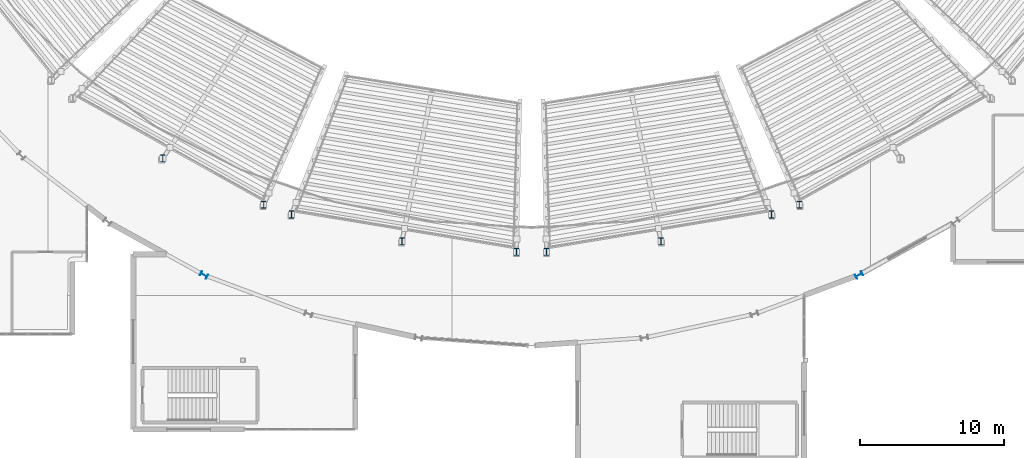
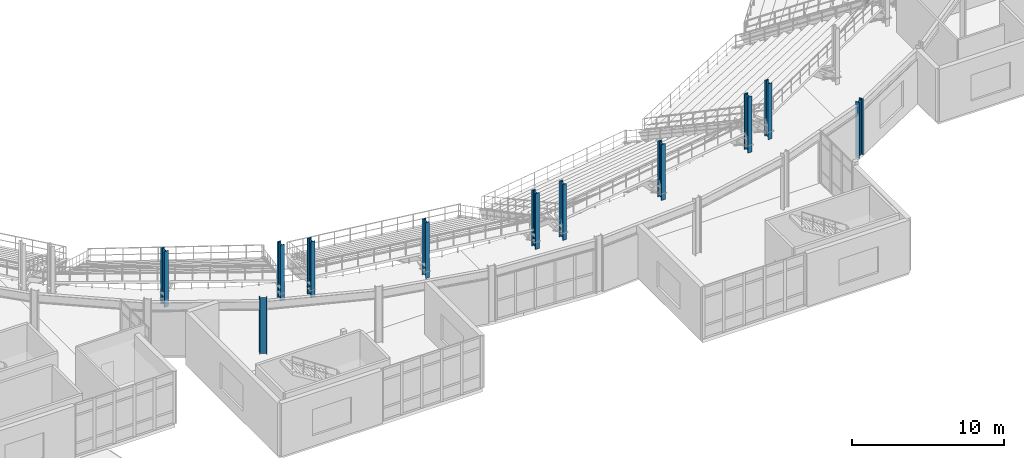
# One storey, part 6 of 81: 11 columns.
"""IFC4 building model written with IfcOpenShell, lengths in metres."""

from ifc_helpers import new_model, si_unit, direction, frame, origin, origin_2d, place, context, subcontext, project, spatial, i_section, extrude, material, material_profile, profile_set, type_object, element, save


model = new_model("IFC4")

# Units and contexts
model_context = context("Model", 3, precision=1e-05, world=origin(), true_north=direction((0.0, 1.0)))
body_context = subcontext(model_context, "Body", "Model", "MODEL_VIEW")
ifc_project = project(units=[si_unit("LENGTHUNIT", "METRE"), si_unit("AREAUNIT", "SQUARE_METRE"), si_unit("VOLUMEUNIT", "CUBIC_METRE"), si_unit("PLANEANGLEUNIT", "RADIAN"), si_unit("MASSUNIT", "GRAM", prefix="KILO")], contexts=[model_context])

# Site, building, storey
site_placement = place(None, origin())
site = spatial("IfcSite", under=ifc_project, at=site_placement, CompositionType="ELEMENT")
building_placement = place(site_placement, origin())
building = spatial("IfcBuilding", under=site, at=building_placement, Name="Glasvene Arena", CompositionType="ELEMENT")
storey_placement = place(building_placement, frame((0.0, 0.0, 15.0)))
storey = spatial("IfcBuildingStorey", under=building, at=storey_placement, Name="L03", CompositionType="ELEMENT", Elevation=15.0)

# Columns
ifc_material = material(Name="Steel S355J2", Category="steel")
ifc_material_profile_1 = material_profile(ifc_material, i_section(OverallWidth=0.305908203125, OverallDepth=0.52392578125, WebThickness=0.02099609375, FlangeThickness=0.0400390625, FilletRadius=0.027099609375, at=origin_2d()), Name="HEM 500")
ifc_profile_set_1 = profile_set([ifc_material_profile_1], Name="Steel S355J2")
column_type_1 = type_object("IfcColumnType", Name="COL-RING-HEM500", PredefinedType="COLUMN", material=ifc_profile_set_1)
for number, where, z_axis, x_axis, name in (
    (1, (69.300537109375, 32.90478515625, 0.0), (0.0, 0.0, 1.0), (-0.492727341548, -0.87018375467, 0.0), "Bowl ring column R28 L03"),
    (2, (114.699462890625, 32.90478515625, 0.0), (0.0, 0.0, 1.0), (0.492727341548, -0.87018375467, 0.0), "Bowl ring column R34 L03"),
):
    element("IfcColumn", number, at=place(storey_placement, frame(where, z_axis=z_axis, x_axis=x_axis)), inside=storey, type_object=column_type_1, Name=name, PredefinedType="COLUMN", context=body_context, shape_type="SweptSolid", body=[
        extrude(i_section(OverallWidth=0.305908203125, OverallDepth=0.52392578125, WebThickness=0.02099609375, FlangeThickness=0.0400390625, FilletRadius=0.027099609375, at=origin_2d()), origin(), (0.0, 0.0, 1.0), 4.5),
    ])
ifc_material_profile_2 = material_profile(ifc_material, i_section(OverallWidth=0.300048828125, OverallDepth=0.5, WebThickness=0.014404296875, FlangeThickness=0.028076171875, FilletRadius=0.027099609375, at=origin_2d()), Name="HEB 500")
ifc_profile_set_2 = profile_set([ifc_material_profile_2], Name="Steel S355J2")
column_type_2 = type_object("IfcColumnType", Name="COL-W-HEB500", PredefinedType="COLUMN", material=ifc_profile_set_2)
for number, where, z_axis, x_axis, name in (
    (3, (73.43701171875, 37.774169921875, 0.0), (0.0, 0.0, 1.0), (1.0, 0.0, 0.0), "Upper raker rear column L03 11-2"),
    (4, (75.365234375, 37.10546875, 0.0), (0.0, 0.0, 1.0), (1.0, 0.0, 0.0), "Upper raker rear column L03 12-1"),
    (5, (90.956298828125, 34.510009765625, 0.0), (0.0, 0.0, 1.0), (1.0, 0.0, 0.0), "Upper raker rear column L03 12-2"),
    (6, (93.043701171875, 34.510009765625, 0.0), (0.0, 0.0, 1.0), (1.0, 0.0, 0.0), "Upper raker rear column L03 13-1"),
    (7, (108.634765625, 37.10546875, 0.0), (0.0, 0.0, 1.0), (1.0, 0.0, 0.0), "Upper raker rear column L03 13-2"),
    (8, (110.56298828125, 37.774169921875, 0.0), (0.0, 0.0, 1.0), (1.0, 0.0, 0.0), "Upper raker rear column L03 14-1"),
    (9, (66.44384765625, 40.98828125, 0.0), (0.0, 0.0, 1.0), (1.0, 0.0, 0.0), "Mid-sector rear raker column L03 11"),
    (10, (83.02587890625, 35.23974609375, 0.0), (0.0, 0.0, 1.0), (1.0, 0.0, 0.0), "Mid-sector rear raker column L03 12"),
    (11, (100.97412109375, 35.23974609375, 0.0), (0.0, 0.0, 1.0), (1.0, 0.0, 0.0), "Mid-sector rear raker column L03 13"),
):
    element("IfcColumn", number, at=place(storey_placement, frame(where, z_axis=z_axis, x_axis=x_axis)), inside=storey, type_object=column_type_2, Name=name, PredefinedType="COLUMN", context=body_context, shape_type="SweptSolid", body=[
        extrude(i_section(OverallWidth=0.300048828125, OverallDepth=0.5, WebThickness=0.014404296875, FlangeThickness=0.028076171875, FilletRadius=0.027099609375, at=origin_2d()), origin(), (0.0, 0.0, 1.0), 4.5),
    ])

save(model, "model.ifc")
